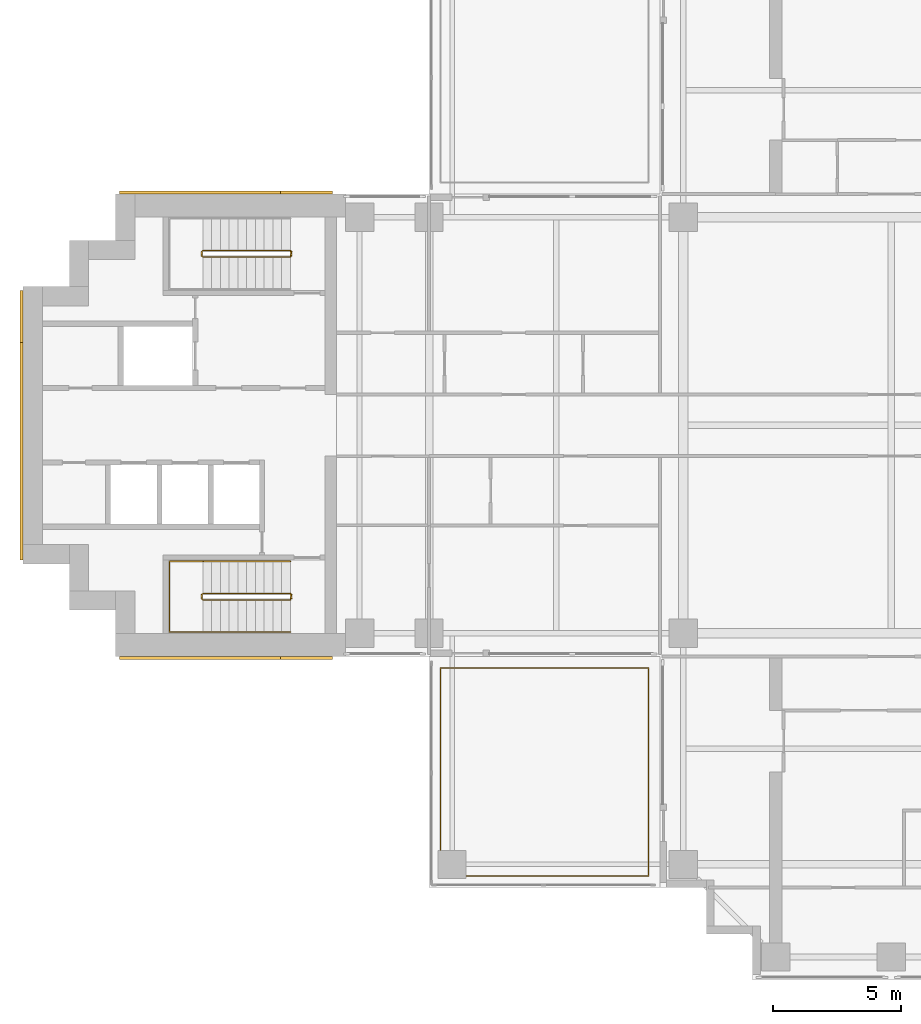
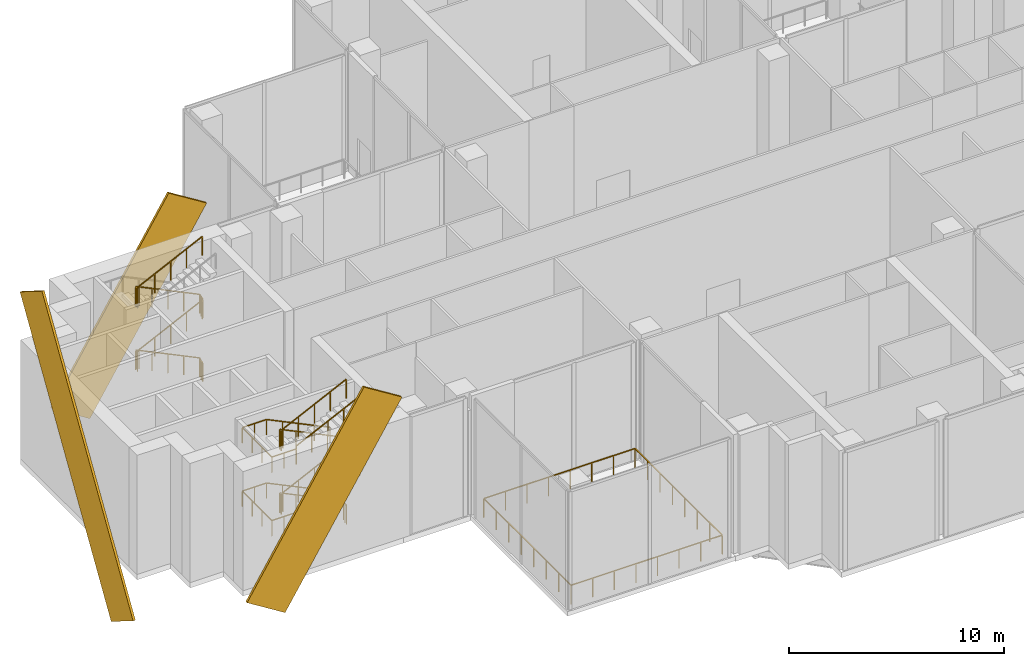
# One storey, part 15 of 17: 5 railings, 3 coverings.
"""IFC4 building model written with IfcOpenShell, lengths in metres."""

from ifc_helpers import new_model, si_unit, direction, frame, origin, origin_2d, place, context, subcontext, project, spatial, rectangle, extrude, material, material_profile, profile_set, type_object, element, save


model = new_model("IFC4")

# Units and contexts
model_context = context("Model", 3, precision=1e-05, world=origin(), true_north=direction((0.0, 1.0)))
body_context = subcontext(model_context, "Body", "Model", "MODEL_VIEW")
ifc_project = project(units=[si_unit("LENGTHUNIT", "METRE"), si_unit("AREAUNIT", "SQUARE_METRE"), si_unit("VOLUMEUNIT", "CUBIC_METRE"), si_unit("PLANEANGLEUNIT", "RADIAN"), si_unit("MASSUNIT", "GRAM", prefix="KILO")], contexts=[model_context])

# Site, building, storey
site_placement = place(None, origin())
site = spatial("IfcSite", under=ifc_project, at=site_placement, CompositionType="ELEMENT")
building_placement = place(site_placement, origin())
building = spatial("IfcBuilding", under=site, at=building_placement, Name="Perihelion Cross Residences", CompositionType="ELEMENT")
storey_placement = place(building_placement, frame((0.0, 0.0, 154.89990234375)))
storey = spatial("IfcBuildingStorey", under=building, at=storey_placement, Name="L38", CompositionType="ELEMENT", Elevation=154.89990234375)

# Railing
ifc_material_1 = material(Name="Bronze anodised aluminium", Category="aluminium")
railing_type_1 = type_object("IfcRailingType", Name="Balcony guard 1100", PredefinedType="GUARDRAIL", material=ifc_material_1)
railing_1_placement = place(storey_placement, frame((-9.449951171875, -17.550048828125, 0.0)))
element("IfcRailing", 1, at=railing_1_placement, inside=storey, type_object=railing_type_1, Name="Guard GU1 L38 pocket south-west 1", PredefinedType="GUARDRAIL", context=body_context, shape_type="SweptSolid", body=[
    extrude(rectangle(XDim=0.048095703125, YDim=0.048095703125, at=origin_2d()), frame((0.0, 0.0, 1.076171875), z_axis=(-1.0, 0.0, 0.0), x_axis=(0.0, -1.0, 0.0)), (0.0, 0.0, 1.0), 8.10009765625),
    extrude(rectangle(XDim=0.048095703125, YDim=0.048095703125, at=origin_2d()), frame((-8.10009765625, 0.0, 1.076171875), z_axis=(0.0, 1.0, 0.0), x_axis=(-1.0, 0.0, 0.0)), (0.0, 0.0, 1.0), 8.10009765625),
    extrude(rectangle(XDim=0.048095703125, YDim=0.048095703125, at=origin_2d()), frame((-8.10009765625, 8.10009765625, 1.076171875), z_axis=(1.0, 0.0, 0.0), x_axis=(0.0, 1.0, 0.0)), (0.0, 0.0, 1.0), 8.10009765625),
    extrude(rectangle(XDim=0.048095703125, YDim=0.048095703125, at=origin_2d()), frame((0.0, 8.10009765625, 1.076171875), z_axis=(0.0, -1.0, 0.0), x_axis=(1.0, 0.0, 0.0)), (0.0, 0.0, 1.0), 8.10009765625),
    extrude(rectangle(XDim=0.0419921875, YDim=0.0419921875, at=origin_2d()), origin(), (0.0, 0.0, 1.0), 1.052001953125),
    extrude(rectangle(XDim=0.0419921875, YDim=0.0419921875, at=origin_2d()), frame((-1.1572265625, 0.0, 0.0)), (0.0, 0.0, 1.0), 1.052001953125),
    extrude(rectangle(XDim=0.0419921875, YDim=0.0419921875, at=origin_2d()), frame((-2.314208984375, 0.0, 0.0)), (0.0, 0.0, 1.0), 1.052001953125),
    extrude(rectangle(XDim=0.0419921875, YDim=0.0419921875, at=origin_2d()), frame((-3.471435546875, 0.0, 0.0)), (0.0, 0.0, 1.0), 1.052001953125),
    extrude(rectangle(XDim=0.0419921875, YDim=0.0419921875, at=origin_2d()), frame((-4.628662109375, 0.0, 0.0)), (0.0, 0.0, 1.0), 1.052001953125),
    extrude(rectangle(XDim=0.0419921875, YDim=0.0419921875, at=origin_2d()), frame((-5.785888671875, 0.0, 0.0)), (0.0, 0.0, 1.0), 1.052001953125),
    extrude(rectangle(XDim=0.0419921875, YDim=0.0419921875, at=origin_2d()), frame((-6.94287109375, 0.0, 0.0)), (0.0, 0.0, 1.0), 1.052001953125),
    extrude(rectangle(XDim=0.0419921875, YDim=0.0419921875, at=origin_2d()), frame((-8.10009765625, 0.0, 0.0)), (0.0, 0.0, 1.0), 1.052001953125),
    extrude(rectangle(XDim=0.0419921875, YDim=0.0419921875, at=origin_2d()), frame((-8.10009765625, 1.1572265625, 0.0)), (0.0, 0.0, 1.0), 1.052001953125),
    extrude(rectangle(XDim=0.0419921875, YDim=0.0419921875, at=origin_2d()), frame((-8.10009765625, 2.314208984375, 0.0)), (0.0, 0.0, 1.0), 1.052001953125),
    extrude(rectangle(XDim=0.0419921875, YDim=0.0419921875, at=origin_2d()), frame((-8.10009765625, 3.471435546875, 0.0)), (0.0, 0.0, 1.0), 1.052001953125),
    extrude(rectangle(XDim=0.0419921875, YDim=0.0419921875, at=origin_2d()), frame((-8.10009765625, 4.628662109375, 0.0)), (0.0, 0.0, 1.0), 1.052001953125),
    extrude(rectangle(XDim=0.0419921875, YDim=0.0419921875, at=origin_2d()), frame((-8.10009765625, 5.785888671875, 0.0)), (0.0, 0.0, 1.0), 1.052001953125),
    extrude(rectangle(XDim=0.0419921875, YDim=0.0419921875, at=origin_2d()), frame((-8.10009765625, 6.94287109375, 0.0)), (0.0, 0.0, 1.0), 1.052001953125),
    extrude(rectangle(XDim=0.0419921875, YDim=0.0419921875, at=origin_2d()), frame((-8.10009765625, 8.10009765625, 0.0)), (0.0, 0.0, 1.0), 1.052001953125),
    extrude(rectangle(XDim=0.0419921875, YDim=0.0419921875, at=origin_2d()), frame((-6.94287109375, 8.10009765625, 0.0)), (0.0, 0.0, 1.0), 1.052001953125),
    extrude(rectangle(XDim=0.0419921875, YDim=0.0419921875, at=origin_2d()), frame((-5.785888671875, 8.10009765625, 0.0)), (0.0, 0.0, 1.0), 1.052001953125),
    extrude(rectangle(XDim=0.0419921875, YDim=0.0419921875, at=origin_2d()), frame((-4.628662109375, 8.10009765625, 0.0)), (0.0, 0.0, 1.0), 1.052001953125),
    extrude(rectangle(XDim=0.0419921875, YDim=0.0419921875, at=origin_2d()), frame((-3.471435546875, 8.10009765625, 0.0)), (0.0, 0.0, 1.0), 1.052001953125),
    extrude(rectangle(XDim=0.0419921875, YDim=0.0419921875, at=origin_2d()), frame((-2.314208984375, 8.10009765625, 0.0)), (0.0, 0.0, 1.0), 1.052001953125),
    extrude(rectangle(XDim=0.0419921875, YDim=0.0419921875, at=origin_2d()), frame((-1.1572265625, 8.10009765625, 0.0)), (0.0, 0.0, 1.0), 1.052001953125),
    extrude(rectangle(XDim=0.0419921875, YDim=0.0419921875, at=origin_2d()), frame((0.0, 8.10009765625, 0.0)), (0.0, 0.0, 1.0), 1.052001953125),
    extrude(rectangle(XDim=0.0419921875, YDim=0.0419921875, at=origin_2d()), frame((0.0, 6.94287109375, 0.0)), (0.0, 0.0, 1.0), 1.052001953125),
    extrude(rectangle(XDim=0.0419921875, YDim=0.0419921875, at=origin_2d()), frame((0.0, 5.785888671875, 0.0)), (0.0, 0.0, 1.0), 1.052001953125),
    extrude(rectangle(XDim=0.0419921875, YDim=0.0419921875, at=origin_2d()), frame((0.0, 4.628662109375, 0.0)), (0.0, 0.0, 1.0), 1.052001953125),
    extrude(rectangle(XDim=0.0419921875, YDim=0.0419921875, at=origin_2d()), frame((0.0, 3.471435546875, 0.0)), (0.0, 0.0, 1.0), 1.052001953125),
    extrude(rectangle(XDim=0.0419921875, YDim=0.0419921875, at=origin_2d()), frame((0.0, 2.314208984375, 0.0)), (0.0, 0.0, 1.0), 1.052001953125),
    extrude(rectangle(XDim=0.0419921875, YDim=0.0419921875, at=origin_2d()), frame((0.0, 1.1572265625, 0.0)), (0.0, 0.0, 1.0), 1.052001953125),
])

# Coverings
ifc_material_2 = material(Name="Bronze anodised aluminium", Category="aluminium")
ifc_material_profile = material_profile(ifc_material_2, rectangle(XDim=0.125, YDim=2.39990234375, at=origin_2d()), Name="Bronze cladding band 2400")
ifc_profile_set = profile_set([ifc_material_profile], Name="Bronze anodised aluminium")
covering_type = type_object("IfcCoveringType", Name="Bronze cladding band 2400", PredefinedType="CLADDING", material=ifc_profile_set)
for number, where, z_axis, x_axis, name in (
    (2, (-29.0322265625, 9.0625, -1.288818359375), (0.529915403603, 0.0, 0.848050508534), (0.0, 1.0, 0.0), "Core cladding band, west core"),
    (3, (-29.0322265625, -9.0625, -1.288818359375), (0.529915403603, 0.0, 0.848050508534), (0.0, 1.0, 0.0), "Core cladding band, west core"),
):
    element("IfcCovering", number, at=place(storey_placement, frame(where, z_axis=z_axis, x_axis=x_axis)), inside=storey, type_object=covering_type, Name=name, PredefinedType="CLADDING", context=body_context, shape_type="SweptSolid", body=[
        extrude(rectangle(XDim=0.125, YDim=2.39990234375, at=origin_2d()), origin(), (0.0, 0.0, 1.0), 11.822021484375),
    ])
covering_placement = place(storey_placement, frame((-33.862548828125, -4.232421875, -3.305419921875), z_axis=(0.0, 0.529924750763, 0.848044667767), x_axis=(-1.0, 0.0, 0.0)))
element("IfcCovering", 4, at=covering_placement, inside=storey, type_object=covering_type, Name="Core cladding band, west core", PredefinedType="CLADDING", context=body_context, shape_type="SweptSolid", body=[
    extrude(rectangle(XDim=0.125, YDim=2.39990234375, at=origin_2d()), origin(), (0.0, 0.0, 1.0), 15.9736328125),
])

# Railings
ifc_material_3 = material(Name="Stainless steel", Category="steel")
railing_type_2 = type_object("IfcRailingType", Name="Stair guard 1100", PredefinedType="GUARDRAIL", material=ifc_material_3)
railing_2_placement = place(storey_placement, frame((-23.35009765625, 6.60009765625, 0.0)))
element("IfcRailing", 5, at=railing_2_placement, inside=storey, type_object=railing_type_2, Name="L38 ST-W1 stair guard 1", PredefinedType="GUARDRAIL", context=body_context, shape_type="SweptSolid", body=[
    extrude(rectangle(XDim=0.048095703125, YDim=0.048095703125, at=origin_2d()), frame((0.0, 0.0, 1.076171875), z_axis=(0.0, 1.0, 0.0), x_axis=(-1.0, 0.0, 0.0)), (0.0, 0.0, 1.0), 0.14990234375),
    extrude(rectangle(XDim=0.048095703125, YDim=0.048095703125, at=origin_2d()), frame((0.0, 0.14990234375, 1.076171875), z_axis=(-0.279194930351, 0.280563532951, 0.91833234444), x_axis=(-0.708833529934, -0.705375805398, 0.0)), (0.0, 0.0, 1.0), 0.178466796875),
    extrude(rectangle(XDim=0.048095703125, YDim=0.048095703125, at=origin_2d()), frame((-0.0498046875, 0.199951171875, 1.23974609375), z_axis=(-0.901092505359, 0.0, 0.433626909666), x_axis=(0.0, -1.0, 0.0)), (0.0, 0.0, 1.0), 3.7734375),
    extrude(rectangle(XDim=0.048095703125, YDim=0.048095703125, at=origin_2d()), frame((-3.449951171875, 0.199951171875, 2.8759765625), z_axis=(-0.707106781187, -0.707106781187, 0.0), x_axis=(0.707106781187, -0.707106781187, 0.0)), (0.0, 0.0, 1.0), 0.07080078125),
    extrude(rectangle(XDim=0.048095703125, YDim=0.048095703125, at=origin_2d()), frame((-3.5, 0.14990234375, 2.8759765625), z_axis=(0.0, -1.0, 0.0), x_axis=(1.0, 0.0, 0.0)), (0.0, 0.0, 1.0), 0.14990234375),
    extrude(rectangle(XDim=0.048095703125, YDim=0.048095703125, at=origin_2d()), frame((-3.5, 0.0, 2.8759765625), z_axis=(0.280808744504, -0.280808744504, 0.917765164963), x_axis=(0.707106781187, 0.707106781187, 0.0)), (0.0, 0.0, 1.0), 0.17822265625),
    extrude(rectangle(XDim=0.048095703125, YDim=0.048095703125, at=origin_2d()), frame((-3.449951171875, -0.050048828125, 3.03955078125), z_axis=(0.901067223353, 0.0, 0.433679442675), x_axis=(0.0, 1.0, 0.0)), (0.0, 0.0, 1.0), 3.7734375),
    extrude(rectangle(XDim=0.048095703125, YDim=0.048095703125, at=origin_2d()), frame((-0.0498046875, -0.050048828125, 4.67626953125), z_axis=(0.241699205484, 0.970351222016, 0.0), x_axis=(-0.970351222016, 0.241699205484, 0.0)), (0.0, 0.0, 1.0), 0.2060546875),
    extrude(rectangle(XDim=0.048095703125, YDim=0.048095703125, at=origin_2d()), frame((0.0, 0.14990234375, 4.67626953125), z_axis=(0.0, -1.0, 0.0), x_axis=(1.0, 0.0, 0.0)), (0.0, 0.0, 1.0), 0.14990234375),
    extrude(rectangle(XDim=0.048095703125, YDim=0.048095703125, at=origin_2d()), frame((0.0, 0.0, 4.67626953125), z_axis=(-0.189305074214, 0.760004195007, 0.621737253547), x_axis=(-0.970351222016, -0.241699205484, 0.0)), (0.0, 0.0, 1.0), 0.26318359375),
    extrude(rectangle(XDim=0.048095703125, YDim=0.048095703125, at=origin_2d()), frame((-0.0498046875, 0.199951171875, 4.83984375), z_axis=(-0.901067223353, 0.0, 0.433679442675), x_axis=(0.0, -1.0, 0.0)), (0.0, 0.0, 1.0), 3.7734375),
    extrude(rectangle(XDim=0.048095703125, YDim=0.048095703125, at=origin_2d()), frame((-3.449951171875, 0.199951171875, 6.47607421875), z_axis=(-0.707106781187, -0.707106781187, 0.0), x_axis=(0.707106781187, -0.707106781187, 0.0)), (0.0, 0.0, 1.0), 0.07080078125),
    extrude(rectangle(XDim=0.048095703125, YDim=0.048095703125, at=origin_2d()), frame((-3.5, 0.14990234375, 6.47607421875), z_axis=(0.0, -1.0, 0.0), x_axis=(1.0, 0.0, 0.0)), (0.0, 0.0, 1.0), 0.14990234375),
    extrude(rectangle(XDim=0.048095703125, YDim=0.048095703125, at=origin_2d()), frame((-3.5, 0.0, 6.47607421875), z_axis=(0.280808744504, -0.280808744504, 0.917765164963), x_axis=(0.707106781187, 0.707106781187, 0.0)), (0.0, 0.0, 1.0), 0.17822265625),
    extrude(rectangle(XDim=0.048095703125, YDim=0.048095703125, at=origin_2d()), frame((-3.449951171875, -0.050048828125, 6.6396484375), z_axis=(0.901067223353, 0.0, 0.433679442675), x_axis=(0.0, 1.0, 0.0)), (0.0, 0.0, 1.0), 3.7734375),
    extrude(rectangle(XDim=0.0419921875, YDim=0.0419921875, at=origin_2d()), origin(), (0.0, 0.0, 1.0), 1.052001953125),
    extrude(rectangle(XDim=0.0419921875, YDim=0.0419921875, at=origin_2d()), frame((0.0, 0.14990234375, 0.0)), (0.0, 0.0, 1.0), 1.052001953125),
    extrude(rectangle(XDim=0.0419921875, YDim=0.0419921875, at=origin_2d()), frame((-0.0498046875, 0.199951171875, 0.163818359375)), (0.0, 0.0, 1.0), 1.052001953125),
    extrude(rectangle(XDim=0.0419921875, YDim=0.0419921875, at=origin_2d()), frame((-0.89990234375, 0.199951171875, 0.57275390625)), (0.0, 0.0, 1.0), 1.052001953125),
    extrude(rectangle(XDim=0.0419921875, YDim=0.0419921875, at=origin_2d()), frame((-1.75, 0.199951171875, 0.98193359375)), (0.0, 0.0, 1.0), 1.052001953125),
    extrude(rectangle(XDim=0.0419921875, YDim=0.0419921875, at=origin_2d()), frame((-2.599853515625, 0.199951171875, 1.39111328125)), (0.0, 0.0, 1.0), 1.052001953125),
    extrude(rectangle(XDim=0.0419921875, YDim=0.0419921875, at=origin_2d()), frame((-3.449951171875, 0.199951171875, 1.800048828125)), (0.0, 0.0, 1.0), 1.052001953125),
    extrude(rectangle(XDim=0.0419921875, YDim=0.0419921875, at=origin_2d()), frame((-3.5, 0.14990234375, 1.800048828125)), (0.0, 0.0, 1.0), 1.052001953125),
    extrude(rectangle(XDim=0.0419921875, YDim=0.0419921875, at=origin_2d()), frame((-3.5, 0.0, 1.800048828125)), (0.0, 0.0, 1.0), 1.052001953125),
    extrude(rectangle(XDim=0.0419921875, YDim=0.0419921875, at=origin_2d()), frame((-3.449951171875, -0.050048828125, 1.963623046875)), (0.0, 0.0, 1.0), 1.052001953125),
    extrude(rectangle(XDim=0.0419921875, YDim=0.0419921875, at=origin_2d()), frame((-2.599853515625, -0.050048828125, 2.372802734375)), (0.0, 0.0, 1.0), 1.052001953125),
    extrude(rectangle(XDim=0.0419921875, YDim=0.0419921875, at=origin_2d()), frame((-1.75, -0.050048828125, 2.78173828125)), (0.0, 0.0, 1.0), 1.052001953125),
    extrude(rectangle(XDim=0.0419921875, YDim=0.0419921875, at=origin_2d()), frame((-0.89990234375, -0.050048828125, 3.19091796875)), (0.0, 0.0, 1.0), 1.052001953125),
    extrude(rectangle(XDim=0.0419921875, YDim=0.0419921875, at=origin_2d()), frame((-0.0498046875, -0.050048828125, 3.60009765625)), (0.0, 0.0, 1.0), 1.052001953125),
    extrude(rectangle(XDim=0.0419921875, YDim=0.0419921875, at=origin_2d()), frame((0.0, 0.14990234375, 3.60009765625)), (0.0, 0.0, 1.0), 1.052001953125),
    extrude(rectangle(XDim=0.0419921875, YDim=0.0419921875, at=origin_2d()), frame((0.0, 0.0, 3.60009765625)), (0.0, 0.0, 1.0), 1.052001953125),
    extrude(rectangle(XDim=0.0419921875, YDim=0.0419921875, at=origin_2d()), frame((-0.0498046875, 0.199951171875, 3.763671875)), (0.0, 0.0, 1.0), 1.052001953125),
    extrude(rectangle(XDim=0.0419921875, YDim=0.0419921875, at=origin_2d()), frame((-0.89990234375, 0.199951171875, 4.1728515625)), (0.0, 0.0, 1.0), 1.052001953125),
    extrude(rectangle(XDim=0.0419921875, YDim=0.0419921875, at=origin_2d()), frame((-1.75, 0.199951171875, 4.58203125)), (0.0, 0.0, 1.0), 1.052001953125),
    extrude(rectangle(XDim=0.0419921875, YDim=0.0419921875, at=origin_2d()), frame((-2.599853515625, 0.199951171875, 4.990966796875)), (0.0, 0.0, 1.0), 1.052001953125),
    extrude(rectangle(XDim=0.0419921875, YDim=0.0419921875, at=origin_2d()), frame((-3.449951171875, 0.199951171875, 5.400146484375)), (0.0, 0.0, 1.0), 1.052001953125),
    extrude(rectangle(XDim=0.0419921875, YDim=0.0419921875, at=origin_2d()), frame((-3.5, 0.14990234375, 5.400146484375)), (0.0, 0.0, 1.0), 1.052001953125),
    extrude(rectangle(XDim=0.0419921875, YDim=0.0419921875, at=origin_2d()), frame((-3.5, 0.0, 5.400146484375)), (0.0, 0.0, 1.0), 1.052001953125),
    extrude(rectangle(XDim=0.0419921875, YDim=0.0419921875, at=origin_2d()), frame((-3.449951171875, -0.050048828125, 5.563720703125)), (0.0, 0.0, 1.0), 1.052001953125),
    extrude(rectangle(XDim=0.0419921875, YDim=0.0419921875, at=origin_2d()), frame((-2.599853515625, -0.050048828125, 5.972900390625)), (0.0, 0.0, 1.0), 1.052001953125),
    extrude(rectangle(XDim=0.0419921875, YDim=0.0419921875, at=origin_2d()), frame((-1.75, -0.050048828125, 6.3818359375)), (0.0, 0.0, 1.0), 1.052001953125),
    extrude(rectangle(XDim=0.0419921875, YDim=0.0419921875, at=origin_2d()), frame((-0.89990234375, -0.050048828125, 6.791015625)), (0.0, 0.0, 1.0), 1.052001953125),
    extrude(rectangle(XDim=0.0419921875, YDim=0.0419921875, at=origin_2d()), frame((-0.0498046875, -0.050048828125, 7.2001953125)), (0.0, 0.0, 1.0), 1.052001953125),
])
railing_3_placement = place(storey_placement, frame((-23.35009765625, -6.75, 0.0)))
element("IfcRailing", 6, at=railing_3_placement, inside=storey, type_object=railing_type_2, Name="L38 ST-W2 stair guard 1", PredefinedType="GUARDRAIL", context=body_context, shape_type="SweptSolid", body=[
    extrude(rectangle(XDim=0.048095703125, YDim=0.048095703125, at=origin_2d()), frame((0.0, 0.0, 1.076171875), z_axis=(0.0, 1.0, 0.0), x_axis=(-1.0, 0.0, 0.0)), (0.0, 0.0, 1.0), 0.14990234375),
    extrude(rectangle(XDim=0.048095703125, YDim=0.048095703125, at=origin_2d()), frame((0.0, 0.14990234375, 1.076171875), z_axis=(-0.279194930351, 0.280563532951, 0.91833234444), x_axis=(-0.708833529934, -0.705375805398, 0.0)), (0.0, 0.0, 1.0), 0.178466796875),
    extrude(rectangle(XDim=0.048095703125, YDim=0.048095703125, at=origin_2d()), frame((-0.0498046875, 0.199951171875, 1.23974609375), z_axis=(-0.901092505359, 0.0, 0.433626909666), x_axis=(0.0, -1.0, 0.0)), (0.0, 0.0, 1.0), 3.7734375),
    extrude(rectangle(XDim=0.048095703125, YDim=0.048095703125, at=origin_2d()), frame((-3.449951171875, 0.199951171875, 2.8759765625), z_axis=(-0.707106781187, -0.707106781187, 0.0), x_axis=(0.707106781187, -0.707106781187, 0.0)), (0.0, 0.0, 1.0), 0.07080078125),
    extrude(rectangle(XDim=0.048095703125, YDim=0.048095703125, at=origin_2d()), frame((-3.5, 0.14990234375, 2.8759765625), z_axis=(0.0, -1.0, 0.0), x_axis=(1.0, 0.0, 0.0)), (0.0, 0.0, 1.0), 0.14990234375),
    extrude(rectangle(XDim=0.048095703125, YDim=0.048095703125, at=origin_2d()), frame((-3.5, 0.0, 2.8759765625), z_axis=(0.280808744504, -0.280808744504, 0.917765164963), x_axis=(0.707106781187, 0.707106781187, 0.0)), (0.0, 0.0, 1.0), 0.17822265625),
    extrude(rectangle(XDim=0.048095703125, YDim=0.048095703125, at=origin_2d()), frame((-3.449951171875, -0.050048828125, 3.03955078125), z_axis=(0.901067223353, 0.0, 0.433679442675), x_axis=(0.0, 1.0, 0.0)), (0.0, 0.0, 1.0), 3.7734375),
    extrude(rectangle(XDim=0.048095703125, YDim=0.048095703125, at=origin_2d()), frame((-0.0498046875, -0.050048828125, 4.67626953125), z_axis=(0.241699205484, 0.970351222016, 0.0), x_axis=(-0.970351222016, 0.241699205484, 0.0)), (0.0, 0.0, 1.0), 0.2060546875),
    extrude(rectangle(XDim=0.048095703125, YDim=0.048095703125, at=origin_2d()), frame((0.0, 0.14990234375, 4.67626953125), z_axis=(0.0, -1.0, 0.0), x_axis=(1.0, 0.0, 0.0)), (0.0, 0.0, 1.0), 0.14990234375),
    extrude(rectangle(XDim=0.048095703125, YDim=0.048095703125, at=origin_2d()), frame((0.0, 0.0, 4.67626953125), z_axis=(-0.189305074214, 0.760004195007, 0.621737253547), x_axis=(-0.970351222016, -0.241699205484, 0.0)), (0.0, 0.0, 1.0), 0.26318359375),
    extrude(rectangle(XDim=0.048095703125, YDim=0.048095703125, at=origin_2d()), frame((-0.0498046875, 0.199951171875, 4.83984375), z_axis=(-0.901067223353, 0.0, 0.433679442675), x_axis=(0.0, -1.0, 0.0)), (0.0, 0.0, 1.0), 3.7734375),
    extrude(rectangle(XDim=0.048095703125, YDim=0.048095703125, at=origin_2d()), frame((-3.449951171875, 0.199951171875, 6.47607421875), z_axis=(-0.707106781187, -0.707106781187, 0.0), x_axis=(0.707106781187, -0.707106781187, 0.0)), (0.0, 0.0, 1.0), 0.07080078125),
    extrude(rectangle(XDim=0.048095703125, YDim=0.048095703125, at=origin_2d()), frame((-3.5, 0.14990234375, 6.47607421875), z_axis=(0.0, -1.0, 0.0), x_axis=(1.0, 0.0, 0.0)), (0.0, 0.0, 1.0), 0.14990234375),
    extrude(rectangle(XDim=0.048095703125, YDim=0.048095703125, at=origin_2d()), frame((-3.5, 0.0, 6.47607421875), z_axis=(0.280808744504, -0.280808744504, 0.917765164963), x_axis=(0.707106781187, 0.707106781187, 0.0)), (0.0, 0.0, 1.0), 0.17822265625),
    extrude(rectangle(XDim=0.048095703125, YDim=0.048095703125, at=origin_2d()), frame((-3.449951171875, -0.050048828125, 6.6396484375), z_axis=(0.901067223353, 0.0, 0.433679442675), x_axis=(0.0, 1.0, 0.0)), (0.0, 0.0, 1.0), 3.7734375),
    extrude(rectangle(XDim=0.0419921875, YDim=0.0419921875, at=origin_2d()), origin(), (0.0, 0.0, 1.0), 1.052001953125),
    extrude(rectangle(XDim=0.0419921875, YDim=0.0419921875, at=origin_2d()), frame((0.0, 0.14990234375, 0.0)), (0.0, 0.0, 1.0), 1.052001953125),
    extrude(rectangle(XDim=0.0419921875, YDim=0.0419921875, at=origin_2d()), frame((-0.0498046875, 0.199951171875, 0.163818359375)), (0.0, 0.0, 1.0), 1.052001953125),
    extrude(rectangle(XDim=0.0419921875, YDim=0.0419921875, at=origin_2d()), frame((-0.89990234375, 0.199951171875, 0.57275390625)), (0.0, 0.0, 1.0), 1.052001953125),
    extrude(rectangle(XDim=0.0419921875, YDim=0.0419921875, at=origin_2d()), frame((-1.75, 0.199951171875, 0.98193359375)), (0.0, 0.0, 1.0), 1.052001953125),
    extrude(rectangle(XDim=0.0419921875, YDim=0.0419921875, at=origin_2d()), frame((-2.599853515625, 0.199951171875, 1.39111328125)), (0.0, 0.0, 1.0), 1.052001953125),
    extrude(rectangle(XDim=0.0419921875, YDim=0.0419921875, at=origin_2d()), frame((-3.449951171875, 0.199951171875, 1.800048828125)), (0.0, 0.0, 1.0), 1.052001953125),
    extrude(rectangle(XDim=0.0419921875, YDim=0.0419921875, at=origin_2d()), frame((-3.5, 0.14990234375, 1.800048828125)), (0.0, 0.0, 1.0), 1.052001953125),
    extrude(rectangle(XDim=0.0419921875, YDim=0.0419921875, at=origin_2d()), frame((-3.5, 0.0, 1.800048828125)), (0.0, 0.0, 1.0), 1.052001953125),
    extrude(rectangle(XDim=0.0419921875, YDim=0.0419921875, at=origin_2d()), frame((-3.449951171875, -0.050048828125, 1.963623046875)), (0.0, 0.0, 1.0), 1.052001953125),
    extrude(rectangle(XDim=0.0419921875, YDim=0.0419921875, at=origin_2d()), frame((-2.599853515625, -0.050048828125, 2.372802734375)), (0.0, 0.0, 1.0), 1.052001953125),
    extrude(rectangle(XDim=0.0419921875, YDim=0.0419921875, at=origin_2d()), frame((-1.75, -0.050048828125, 2.78173828125)), (0.0, 0.0, 1.0), 1.052001953125),
    extrude(rectangle(XDim=0.0419921875, YDim=0.0419921875, at=origin_2d()), frame((-0.89990234375, -0.050048828125, 3.19091796875)), (0.0, 0.0, 1.0), 1.052001953125),
    extrude(rectangle(XDim=0.0419921875, YDim=0.0419921875, at=origin_2d()), frame((-0.0498046875, -0.050048828125, 3.60009765625)), (0.0, 0.0, 1.0), 1.052001953125),
    extrude(rectangle(XDim=0.0419921875, YDim=0.0419921875, at=origin_2d()), frame((0.0, 0.14990234375, 3.60009765625)), (0.0, 0.0, 1.0), 1.052001953125),
    extrude(rectangle(XDim=0.0419921875, YDim=0.0419921875, at=origin_2d()), frame((0.0, 0.0, 3.60009765625)), (0.0, 0.0, 1.0), 1.052001953125),
    extrude(rectangle(XDim=0.0419921875, YDim=0.0419921875, at=origin_2d()), frame((-0.0498046875, 0.199951171875, 3.763671875)), (0.0, 0.0, 1.0), 1.052001953125),
    extrude(rectangle(XDim=0.0419921875, YDim=0.0419921875, at=origin_2d()), frame((-0.89990234375, 0.199951171875, 4.1728515625)), (0.0, 0.0, 1.0), 1.052001953125),
    extrude(rectangle(XDim=0.0419921875, YDim=0.0419921875, at=origin_2d()), frame((-1.75, 0.199951171875, 4.58203125)), (0.0, 0.0, 1.0), 1.052001953125),
    extrude(rectangle(XDim=0.0419921875, YDim=0.0419921875, at=origin_2d()), frame((-2.599853515625, 0.199951171875, 4.990966796875)), (0.0, 0.0, 1.0), 1.052001953125),
    extrude(rectangle(XDim=0.0419921875, YDim=0.0419921875, at=origin_2d()), frame((-3.449951171875, 0.199951171875, 5.400146484375)), (0.0, 0.0, 1.0), 1.052001953125),
    extrude(rectangle(XDim=0.0419921875, YDim=0.0419921875, at=origin_2d()), frame((-3.5, 0.14990234375, 5.400146484375)), (0.0, 0.0, 1.0), 1.052001953125),
    extrude(rectangle(XDim=0.0419921875, YDim=0.0419921875, at=origin_2d()), frame((-3.5, 0.0, 5.400146484375)), (0.0, 0.0, 1.0), 1.052001953125),
    extrude(rectangle(XDim=0.0419921875, YDim=0.0419921875, at=origin_2d()), frame((-3.449951171875, -0.050048828125, 5.563720703125)), (0.0, 0.0, 1.0), 1.052001953125),
    extrude(rectangle(XDim=0.0419921875, YDim=0.0419921875, at=origin_2d()), frame((-2.599853515625, -0.050048828125, 5.972900390625)), (0.0, 0.0, 1.0), 1.052001953125),
    extrude(rectangle(XDim=0.0419921875, YDim=0.0419921875, at=origin_2d()), frame((-1.75, -0.050048828125, 6.3818359375)), (0.0, 0.0, 1.0), 1.052001953125),
    extrude(rectangle(XDim=0.0419921875, YDim=0.0419921875, at=origin_2d()), frame((-0.89990234375, -0.050048828125, 6.791015625)), (0.0, 0.0, 1.0), 1.052001953125),
    extrude(rectangle(XDim=0.0419921875, YDim=0.0419921875, at=origin_2d()), frame((-0.0498046875, -0.050048828125, 7.2001953125)), (0.0, 0.0, 1.0), 1.052001953125),
])
ifc_material_4 = material(Name="Stainless steel", Category="steel")
railing_type_3 = type_object("IfcRailingType", Name="Stair handrail 900", PredefinedType="HANDRAIL", material=ifc_material_4)
railing_4_placement = place(storey_placement, frame((-23.39990234375, -5.300048828125, 0.163818359375)))
element("IfcRailing", 7, at=railing_4_placement, inside=storey, type_object=railing_type_3, Name="L38 ST-W2 stair handrail 1", PredefinedType="HANDRAIL", context=body_context, shape_type="SweptSolid", body=[
    extrude(rectangle(XDim=0.048095703125, YDim=0.048095703125, at=origin_2d()), frame((0.0, 0.0, 0.8759765625), z_axis=(-0.901092505359, 0.0, 0.433626909666), x_axis=(0.0, -1.0, 0.0)), (0.0, 0.0, 1.0), 3.7734375),
    extrude(rectangle(XDim=0.048095703125, YDim=0.048095703125, at=origin_2d()), frame((-3.400146484375, 0.0, 2.51220703125), z_axis=(-1.0, 0.0, 0.0), x_axis=(0.0, -1.0, 0.0)), (0.0, 0.0, 1.0), 1.300048828125),
    extrude(rectangle(XDim=0.048095703125, YDim=0.048095703125, at=origin_2d()), frame((-4.7001953125, 0.0, 2.51220703125), z_axis=(0.0, -1.0, 0.0), x_axis=(1.0, 0.0, 0.0)), (0.0, 0.0, 1.0), 2.75),
    extrude(rectangle(XDim=0.048095703125, YDim=0.048095703125, at=origin_2d()), frame((-4.7001953125, -2.75, 2.51220703125), z_axis=(1.0, 0.0, 0.0), x_axis=(0.0, 1.0, 0.0)), (0.0, 0.0, 1.0), 1.300048828125),
    extrude(rectangle(XDim=0.048095703125, YDim=0.048095703125, at=origin_2d()), frame((-3.400146484375, -2.75, 2.51220703125), z_axis=(0.0, 0.0, 1.0), x_axis=(1.0, 0.0, 0.0)), (0.0, 0.0, 1.0), 0.16357421875),
    extrude(rectangle(XDim=0.048095703125, YDim=0.048095703125, at=origin_2d()), frame((-3.400146484375, -2.75, 2.67578125), z_axis=(0.901067223353, 0.0, 0.433679442675), x_axis=(0.0, 1.0, 0.0)), (0.0, 0.0, 1.0), 3.7734375),
    extrude(rectangle(XDim=0.0419921875, YDim=0.0419921875, at=origin_2d()), origin(), (0.0, 0.0, 1.0), 0.851806640625),
    extrude(rectangle(XDim=0.0419921875, YDim=0.0419921875, at=origin_2d()), frame((-0.85009765625, 0.0, 0.4091796875)), (0.0, 0.0, 1.0), 0.851806640625),
    extrude(rectangle(XDim=0.0419921875, YDim=0.0419921875, at=origin_2d()), frame((-1.7001953125, 0.0, 0.818115234375)), (0.0, 0.0, 1.0), 0.851806640625),
    extrude(rectangle(XDim=0.0419921875, YDim=0.0419921875, at=origin_2d()), frame((-2.550048828125, 0.0, 1.22705078125)), (0.0, 0.0, 1.0), 0.851806640625),
    extrude(rectangle(XDim=0.0419921875, YDim=0.0419921875, at=origin_2d()), frame((-3.400146484375, 0.0, 1.63623046875)), (0.0, 0.0, 1.0), 0.851806640625),
    extrude(rectangle(XDim=0.0419921875, YDim=0.0419921875, at=origin_2d()), frame((-4.05029296875, 0.0, 1.63623046875)), (0.0, 0.0, 1.0), 0.851806640625),
    extrude(rectangle(XDim=0.0419921875, YDim=0.0419921875, at=origin_2d()), frame((-4.7001953125, 0.0, 1.63623046875)), (0.0, 0.0, 1.0), 0.851806640625),
    extrude(rectangle(XDim=0.0419921875, YDim=0.0419921875, at=origin_2d()), frame((-4.7001953125, -0.916748046875, 1.63623046875)), (0.0, 0.0, 1.0), 0.851806640625),
    extrude(rectangle(XDim=0.0419921875, YDim=0.0419921875, at=origin_2d()), frame((-4.7001953125, -1.833251953125, 1.63623046875)), (0.0, 0.0, 1.0), 0.851806640625),
    extrude(rectangle(XDim=0.0419921875, YDim=0.0419921875, at=origin_2d()), frame((-4.7001953125, -2.75, 1.63623046875)), (0.0, 0.0, 1.0), 0.851806640625),
    extrude(rectangle(XDim=0.0419921875, YDim=0.0419921875, at=origin_2d()), frame((-4.05029296875, -2.75, 1.63623046875)), (0.0, 0.0, 1.0), 0.851806640625),
    extrude(rectangle(XDim=0.0419921875, YDim=0.0419921875, at=origin_2d()), frame((-3.400146484375, -2.75, 1.63623046875)), (0.0, 0.0, 1.0), 0.851806640625),
    extrude(rectangle(XDim=0.0419921875, YDim=0.0419921875, at=origin_2d()), frame((-3.400146484375, -2.75, 1.7998046875)), (0.0, 0.0, 1.0), 0.851806640625),
    extrude(rectangle(XDim=0.0419921875, YDim=0.0419921875, at=origin_2d()), frame((-2.550048828125, -2.75, 2.208984375)), (0.0, 0.0, 1.0), 0.851806640625),
    extrude(rectangle(XDim=0.0419921875, YDim=0.0419921875, at=origin_2d()), frame((-1.7001953125, -2.75, 2.6181640625)), (0.0, 0.0, 1.0), 0.851806640625),
    extrude(rectangle(XDim=0.0419921875, YDim=0.0419921875, at=origin_2d()), frame((-0.85009765625, -2.75, 3.027099609375)), (0.0, 0.0, 1.0), 0.851806640625),
    extrude(rectangle(XDim=0.0419921875, YDim=0.0419921875, at=origin_2d()), frame((0.0, -2.75, 3.436279296875)), (0.0, 0.0, 1.0), 0.851806640625),
])
railing_5_placement = place(storey_placement, frame((-23.39990234375, -5.300048828125, 3.763671875)))
element("IfcRailing", 8, at=railing_5_placement, inside=storey, type_object=railing_type_3, Name="L38 ST-W2 stair handrail 2", PredefinedType="HANDRAIL", context=body_context, shape_type="SweptSolid", body=[
    extrude(rectangle(XDim=0.048095703125, YDim=0.048095703125, at=origin_2d()), frame((0.0, 0.0, 0.8759765625), z_axis=(-0.901067223353, 0.0, 0.433679442675), x_axis=(0.0, -1.0, 0.0)), (0.0, 0.0, 1.0), 3.7734375),
    extrude(rectangle(XDim=0.048095703125, YDim=0.048095703125, at=origin_2d()), frame((-3.400146484375, 0.0, 2.51220703125), z_axis=(-1.0, 0.0, 0.0), x_axis=(0.0, -1.0, 0.0)), (0.0, 0.0, 1.0), 1.300048828125),
    extrude(rectangle(XDim=0.048095703125, YDim=0.048095703125, at=origin_2d()), frame((-4.7001953125, 0.0, 2.51220703125), z_axis=(0.0, -1.0, 0.0), x_axis=(1.0, 0.0, 0.0)), (0.0, 0.0, 1.0), 2.75),
    extrude(rectangle(XDim=0.048095703125, YDim=0.048095703125, at=origin_2d()), frame((-4.7001953125, -2.75, 2.51220703125), z_axis=(1.0, 0.0, 0.0), x_axis=(0.0, 1.0, 0.0)), (0.0, 0.0, 1.0), 1.300048828125),
    extrude(rectangle(XDim=0.048095703125, YDim=0.048095703125, at=origin_2d()), frame((-3.400146484375, -2.75, 2.51220703125), z_axis=(0.0, 0.0, 1.0), x_axis=(1.0, 0.0, 0.0)), (0.0, 0.0, 1.0), 0.16357421875),
    extrude(rectangle(XDim=0.048095703125, YDim=0.048095703125, at=origin_2d()), frame((-3.400146484375, -2.75, 2.67578125), z_axis=(0.901067223353, 0.0, 0.433679442675), x_axis=(0.0, 1.0, 0.0)), (0.0, 0.0, 1.0), 3.7734375),
    extrude(rectangle(XDim=0.0419921875, YDim=0.0419921875, at=origin_2d()), origin(), (0.0, 0.0, 1.0), 0.851806640625),
    extrude(rectangle(XDim=0.0419921875, YDim=0.0419921875, at=origin_2d()), frame((-0.85009765625, 0.0, 0.4091796875)), (0.0, 0.0, 1.0), 0.851806640625),
    extrude(rectangle(XDim=0.0419921875, YDim=0.0419921875, at=origin_2d()), frame((-1.7001953125, 0.0, 0.818359375)), (0.0, 0.0, 1.0), 0.851806640625),
    extrude(rectangle(XDim=0.0419921875, YDim=0.0419921875, at=origin_2d()), frame((-2.550048828125, 0.0, 1.227294921875)), (0.0, 0.0, 1.0), 0.851806640625),
    extrude(rectangle(XDim=0.0419921875, YDim=0.0419921875, at=origin_2d()), frame((-3.400146484375, 0.0, 1.636474609375)), (0.0, 0.0, 1.0), 0.851806640625),
    extrude(rectangle(XDim=0.0419921875, YDim=0.0419921875, at=origin_2d()), frame((-4.05029296875, 0.0, 1.636474609375)), (0.0, 0.0, 1.0), 0.851806640625),
    extrude(rectangle(XDim=0.0419921875, YDim=0.0419921875, at=origin_2d()), frame((-4.7001953125, 0.0, 1.636474609375)), (0.0, 0.0, 1.0), 0.851806640625),
    extrude(rectangle(XDim=0.0419921875, YDim=0.0419921875, at=origin_2d()), frame((-4.7001953125, -0.916748046875, 1.636474609375)), (0.0, 0.0, 1.0), 0.851806640625),
    extrude(rectangle(XDim=0.0419921875, YDim=0.0419921875, at=origin_2d()), frame((-4.7001953125, -1.833251953125, 1.636474609375)), (0.0, 0.0, 1.0), 0.851806640625),
    extrude(rectangle(XDim=0.0419921875, YDim=0.0419921875, at=origin_2d()), frame((-4.7001953125, -2.75, 1.636474609375)), (0.0, 0.0, 1.0), 0.851806640625),
    extrude(rectangle(XDim=0.0419921875, YDim=0.0419921875, at=origin_2d()), frame((-4.05029296875, -2.75, 1.636474609375)), (0.0, 0.0, 1.0), 0.851806640625),
    extrude(rectangle(XDim=0.0419921875, YDim=0.0419921875, at=origin_2d()), frame((-3.400146484375, -2.75, 1.636474609375)), (0.0, 0.0, 1.0), 0.851806640625),
    extrude(rectangle(XDim=0.0419921875, YDim=0.0419921875, at=origin_2d()), frame((-3.400146484375, -2.75, 1.800048828125)), (0.0, 0.0, 1.0), 0.851806640625),
    extrude(rectangle(XDim=0.0419921875, YDim=0.0419921875, at=origin_2d()), frame((-2.550048828125, -2.75, 2.209228515625)), (0.0, 0.0, 1.0), 0.851806640625),
    extrude(rectangle(XDim=0.0419921875, YDim=0.0419921875, at=origin_2d()), frame((-1.7001953125, -2.75, 2.6181640625)), (0.0, 0.0, 1.0), 0.851806640625),
    extrude(rectangle(XDim=0.0419921875, YDim=0.0419921875, at=origin_2d()), frame((-0.85009765625, -2.75, 3.02734375)), (0.0, 0.0, 1.0), 0.851806640625),
    extrude(rectangle(XDim=0.0419921875, YDim=0.0419921875, at=origin_2d()), frame((0.0, -2.75, 3.4365234375)), (0.0, 0.0, 1.0), 0.851806640625),
])

save(model, "model.ifc")
